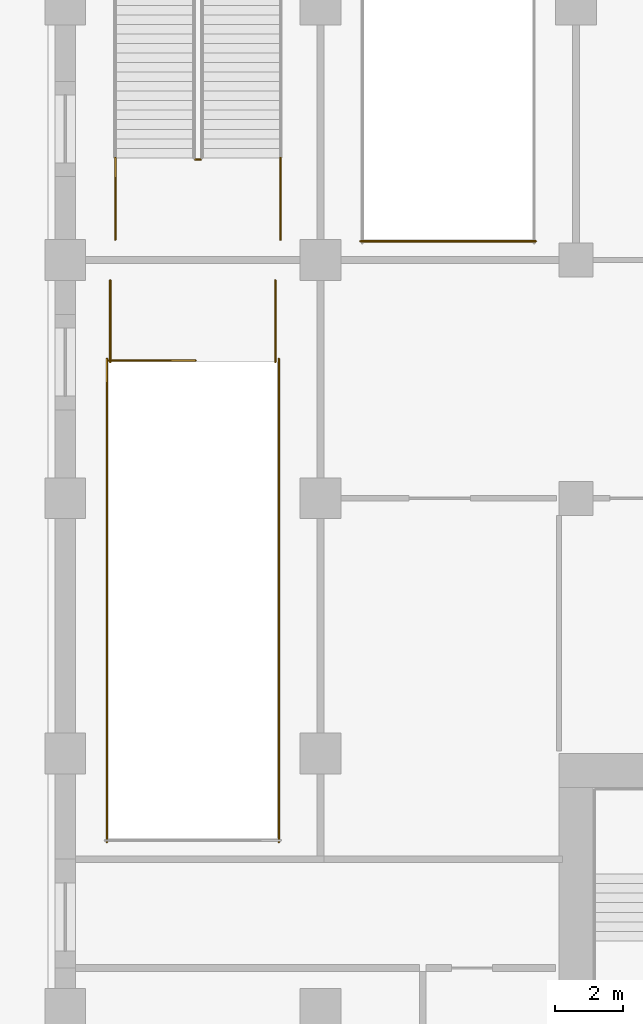
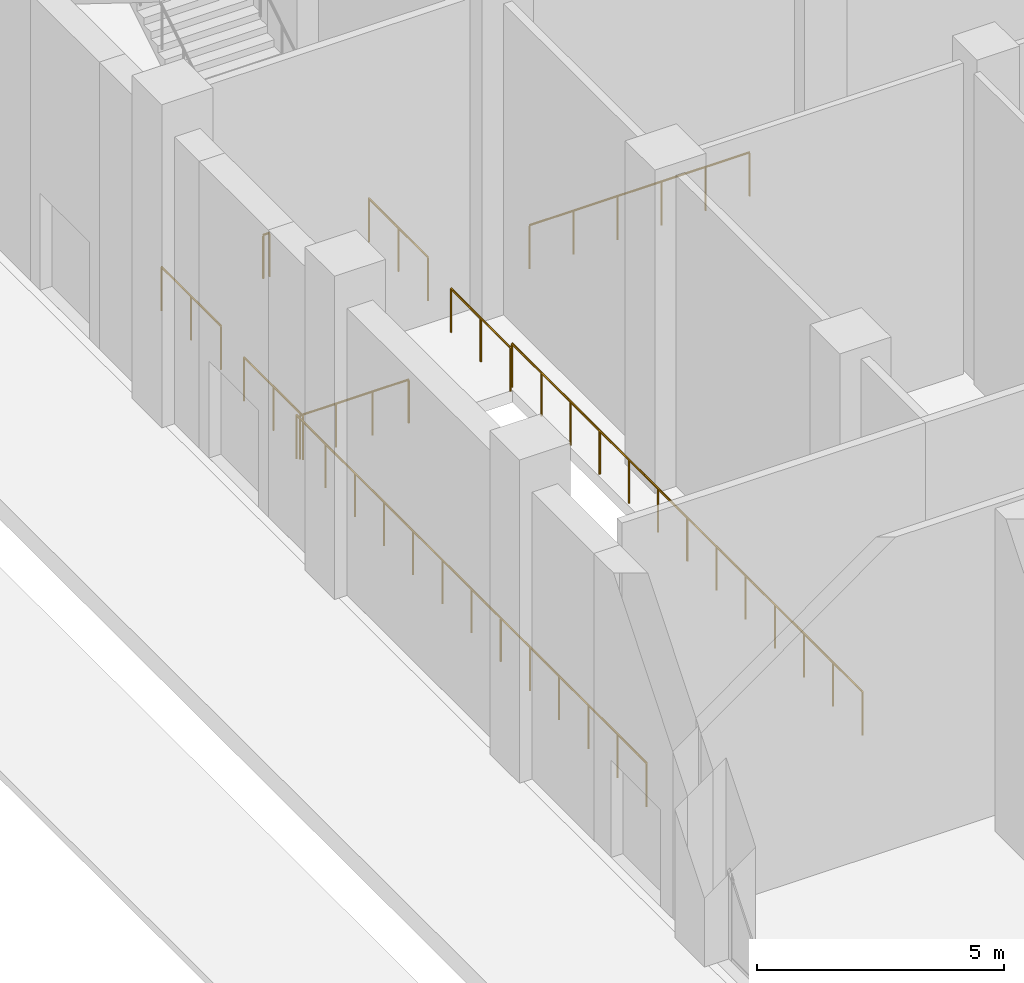
# One storey, part 45 of 57: 9 railings.
"""IFC4 building model written with IfcOpenShell, lengths in metres."""

from ifc_helpers import new_model, si_unit, direction, frame, origin, origin_2d, place, context, subcontext, project, spatial, circle, extrude, material, type_object, element, save


model = new_model("IFC4")

# Units and contexts
model_context = context("Model", 3, precision=1e-05, world=origin(), true_north=direction((0.0, 1.0)))
body_context = subcontext(model_context, "Body", "Model", "MODEL_VIEW")
ifc_project = project(units=[si_unit("LENGTHUNIT", "METRE"), si_unit("AREAUNIT", "SQUARE_METRE"), si_unit("VOLUMEUNIT", "CUBIC_METRE"), si_unit("PLANEANGLEUNIT", "RADIAN"), si_unit("MASSUNIT", "GRAM", prefix="KILO")], contexts=[model_context])

# Site, building, storey
site_placement = place(None, origin())
site = spatial("IfcSite", under=ifc_project, at=site_placement, CompositionType="ELEMENT")
building_placement = place(site_placement, origin())
building = spatial("IfcBuilding", under=site, at=building_placement, Name="Tamorin Gate", CompositionType="ELEMENT")
storey_placement = place(building_placement, origin())
storey = spatial("IfcBuildingStorey", under=building, at=storey_placement, Name="L00", CompositionType="ELEMENT", Elevation=0.0)

# Railings
ifc_material = material(Name="Steel", Category="steel")
railing_type = type_object("IfcRailingType", Name="Podium guard 1100", PredefinedType="GUARDRAIL", material=ifc_material)
railing_1_placement = place(storey_placement, frame((19.47509765625, 99.949951171875, 0.0)))
element("IfcRailing", 1, at=railing_1_placement, inside=storey, type_object=railing_type, Name="L00 PS2 stair guard 7", PredefinedType="GUARDRAIL", context=body_context, shape_type="SweptSolid", body=[
    extrude(circle(Radius=0.02392578125, at=origin_2d()), frame((0.0, 0.0, 1.076171875), z_axis=(-1.0, 0.0, 0.0), x_axis=(0.0, -1.0, 0.0)), (0.0, 0.0, 1.0), 0.150146484375),
    extrude(circle(Radius=0.02099609375, at=origin_2d()), origin(), (0.0, 0.0, 1.0), 1.052001953125),
    extrude(circle(Radius=0.02099609375, at=origin_2d()), frame((-0.150146484375, 0.0, 0.0)), (0.0, 0.0, 1.0), 1.052001953125),
])
for number, where, name in (
    (2, (21.824951171875, 97.60009765625, 0.0), "L00 PS2 stair guard 8"),
    (3, (16.97509765625, 97.60009765625, 0.0), "L00 PS2 stair guard 9"),
):
    element("IfcRailing", number, at=place(storey_placement, frame(where)), inside=storey, type_object=railing_type, Name=name, PredefinedType="GUARDRAIL", context=body_context, shape_type="SweptSolid", body=[
        extrude(circle(Radius=0.02392578125, at=origin_2d()), frame((0.0, 0.0, 1.076171875), z_axis=(0.0, 1.0, 0.0), x_axis=(-1.0, 0.0, 0.0)), (0.0, 0.0, 1.0), 2.39990234375),
        extrude(circle(Radius=0.02099609375, at=origin_2d()), origin(), (0.0, 0.0, 1.0), 1.052001953125),
        extrude(circle(Radius=0.02099609375, at=origin_2d()), frame((0.0, 1.199951171875, 0.0)), (0.0, 0.0, 1.0), 1.052001953125),
        extrude(circle(Radius=0.02099609375, at=origin_2d()), frame((0.0, 2.39990234375, 0.0)), (0.0, 0.0, 1.0), 1.052001953125),
    ])
railing_2_placement = place(storey_placement, frame((16.77490234375, 94.050048828125, 0.0)))
element("IfcRailing", 4, at=railing_2_placement, inside=storey, type_object=railing_type, Name="L00 SB1 top well guard 1", PredefinedType="GUARDRAIL", context=body_context, shape_type="SweptSolid", body=[
    extrude(circle(Radius=0.02392578125, at=origin_2d()), frame((0.0, 0.0, 1.076171875), z_axis=(1.0, 0.0, 0.0), x_axis=(0.0, 1.0, 0.0)), (0.0, 0.0, 1.0), 2.550048828125),
    extrude(circle(Radius=0.02099609375, at=origin_2d()), origin(), (0.0, 0.0, 1.0), 1.052001953125),
    extrude(circle(Radius=0.02099609375, at=origin_2d()), frame((0.85009765625, 0.0, 0.0)), (0.0, 0.0, 1.0), 1.052001953125),
    extrude(circle(Radius=0.02099609375, at=origin_2d()), frame((1.699951171875, 0.0, 0.0)), (0.0, 0.0, 1.0), 1.052001953125),
    extrude(circle(Radius=0.02099609375, at=origin_2d()), frame((2.550048828125, 0.0, 0.0)), (0.0, 0.0, 1.0), 1.052001953125),
])
railing_3_placement = place(storey_placement, frame((16.72509765625, 94.10009765625, 0.0)))
element("IfcRailing", 5, at=railing_3_placement, inside=storey, type_object=railing_type, Name="L00 SB1 top well guard 2", PredefinedType="GUARDRAIL", context=body_context, shape_type="SweptSolid", body=[
    extrude(circle(Radius=0.02392578125, at=origin_2d()), frame((0.0, 0.0, 1.076171875), z_axis=(0.0, -1.0, 0.0), x_axis=(1.0, 0.0, 0.0)), (0.0, 0.0, 1.0), 14.2001953125),
    extrude(circle(Radius=0.02099609375, at=origin_2d()), origin(), (0.0, 0.0, 1.0), 1.052001953125),
    extrude(circle(Radius=0.02099609375, at=origin_2d()), frame((0.0, -1.183349609375, 0.0)), (0.0, 0.0, 1.0), 1.052001953125),
    extrude(circle(Radius=0.02099609375, at=origin_2d()), frame((0.0, -2.36669921875, 0.0)), (0.0, 0.0, 1.0), 1.052001953125),
    extrude(circle(Radius=0.02099609375, at=origin_2d()), frame((0.0, -3.550048828125, 0.0)), (0.0, 0.0, 1.0), 1.052001953125),
    extrude(circle(Radius=0.02099609375, at=origin_2d()), frame((0.0, -4.7333984375, 0.0)), (0.0, 0.0, 1.0), 1.052001953125),
    extrude(circle(Radius=0.02099609375, at=origin_2d()), frame((0.0, -5.916748046875, 0.0)), (0.0, 0.0, 1.0), 1.052001953125),
    extrude(circle(Radius=0.02099609375, at=origin_2d()), frame((0.0, -7.10009765625, 0.0)), (0.0, 0.0, 1.0), 1.052001953125),
    extrude(circle(Radius=0.02099609375, at=origin_2d()), frame((0.0, -8.283447265625, 0.0)), (0.0, 0.0, 1.0), 1.052001953125),
    extrude(circle(Radius=0.02099609375, at=origin_2d()), frame((0.0, -9.466796875, 0.0)), (0.0, 0.0, 1.0), 1.052001953125),
    extrude(circle(Radius=0.02099609375, at=origin_2d()), frame((0.0, -10.650146484375, 0.0)), (0.0, 0.0, 1.0), 1.052001953125),
    extrude(circle(Radius=0.02099609375, at=origin_2d()), frame((0.0, -11.83349609375, 0.0)), (0.0, 0.0, 1.0), 1.052001953125),
    extrude(circle(Radius=0.02099609375, at=origin_2d()), frame((0.0, -13.016845703125, 0.0)), (0.0, 0.0, 1.0), 1.052001953125),
    extrude(circle(Radius=0.02099609375, at=origin_2d()), frame((0.0, -14.2001953125, 0.0)), (0.0, 0.0, 1.0), 1.052001953125),
])
railing_4_placement = place(storey_placement, frame((21.77490234375, 94.10009765625, 0.0)))
element("IfcRailing", 6, at=railing_4_placement, inside=storey, type_object=railing_type, Name="L00 SB1 top well guard 3", PredefinedType="GUARDRAIL", context=body_context, shape_type="SweptSolid", body=[
    extrude(circle(Radius=0.02392578125, at=origin_2d()), frame((0.0, 0.0, 1.076171875), z_axis=(0.0, -1.0, 0.0), x_axis=(1.0, 0.0, 0.0)), (0.0, 0.0, 1.0), 14.2001953125),
    extrude(circle(Radius=0.02099609375, at=origin_2d()), origin(), (0.0, 0.0, 1.0), 1.052001953125),
    extrude(circle(Radius=0.02099609375, at=origin_2d()), frame((0.0, -1.183349609375, 0.0)), (0.0, 0.0, 1.0), 1.052001953125),
    extrude(circle(Radius=0.02099609375, at=origin_2d()), frame((0.0, -2.36669921875, 0.0)), (0.0, 0.0, 1.0), 1.052001953125),
    extrude(circle(Radius=0.02099609375, at=origin_2d()), frame((0.0, -3.550048828125, 0.0)), (0.0, 0.0, 1.0), 1.052001953125),
    extrude(circle(Radius=0.02099609375, at=origin_2d()), frame((0.0, -4.7333984375, 0.0)), (0.0, 0.0, 1.0), 1.052001953125),
    extrude(circle(Radius=0.02099609375, at=origin_2d()), frame((0.0, -5.916748046875, 0.0)), (0.0, 0.0, 1.0), 1.052001953125),
    extrude(circle(Radius=0.02099609375, at=origin_2d()), frame((0.0, -7.10009765625, 0.0)), (0.0, 0.0, 1.0), 1.052001953125),
    extrude(circle(Radius=0.02099609375, at=origin_2d()), frame((0.0, -8.283447265625, 0.0)), (0.0, 0.0, 1.0), 1.052001953125),
    extrude(circle(Radius=0.02099609375, at=origin_2d()), frame((0.0, -9.466796875, 0.0)), (0.0, 0.0, 1.0), 1.052001953125),
    extrude(circle(Radius=0.02099609375, at=origin_2d()), frame((0.0, -10.650146484375, 0.0)), (0.0, 0.0, 1.0), 1.052001953125),
    extrude(circle(Radius=0.02099609375, at=origin_2d()), frame((0.0, -11.83349609375, 0.0)), (0.0, 0.0, 1.0), 1.052001953125),
    extrude(circle(Radius=0.02099609375, at=origin_2d()), frame((0.0, -13.016845703125, 0.0)), (0.0, 0.0, 1.0), 1.052001953125),
    extrude(circle(Radius=0.02099609375, at=origin_2d()), frame((0.0, -14.2001953125, 0.0)), (0.0, 0.0, 1.0), 1.052001953125),
])
for number, where, name in (
    (7, (16.824951171875, 96.39990234375, 0.0), "L00 SB1 top well guard 5"),
    (8, (21.675048828125, 96.39990234375, 0.0), "L00 SB1 top well guard 6"),
):
    element("IfcRailing", number, at=place(storey_placement, frame(where)), inside=storey, type_object=railing_type, Name=name, PredefinedType="GUARDRAIL", context=body_context, shape_type="SweptSolid", body=[
        extrude(circle(Radius=0.02392578125, at=origin_2d()), frame((0.0, 0.0, 1.076171875), z_axis=(0.0, -1.0, 0.0), x_axis=(1.0, 0.0, 0.0)), (0.0, 0.0, 1.0), 2.39990234375),
        extrude(circle(Radius=0.02099609375, at=origin_2d()), origin(), (0.0, 0.0, 1.0), 1.052001953125),
        extrude(circle(Radius=0.02099609375, at=origin_2d()), frame((0.0, -1.199951171875, 0.0)), (0.0, 0.0, 1.0), 1.052001953125),
        extrude(circle(Radius=0.02099609375, at=origin_2d()), frame((0.0, -2.39990234375, 0.0)), (0.0, 0.0, 1.0), 1.052001953125),
    ])
railing_5_placement = place(storey_placement, frame((24.175048828125, 97.550048828125, 0.0)))
element("IfcRailing", 9, at=railing_5_placement, inside=storey, type_object=railing_type, Name="L00 SB2 top well guard 4", PredefinedType="GUARDRAIL", context=body_context, shape_type="SweptSolid", body=[
    extrude(circle(Radius=0.02392578125, at=origin_2d()), frame((0.0, 0.0, 1.076171875), z_axis=(1.0, 0.0, 0.0), x_axis=(0.0, 1.0, 0.0)), (0.0, 0.0, 1.0), 5.14990234375),
    extrude(circle(Radius=0.02099609375, at=origin_2d()), origin(), (0.0, 0.0, 1.0), 1.052001953125),
    extrude(circle(Radius=0.02099609375, at=origin_2d()), frame((1.030029296875, 0.0, 0.0)), (0.0, 0.0, 1.0), 1.052001953125),
    extrude(circle(Radius=0.02099609375, at=origin_2d()), frame((2.06005859375, 0.0, 0.0)), (0.0, 0.0, 1.0), 1.052001953125),
    extrude(circle(Radius=0.02099609375, at=origin_2d()), frame((3.08984375, 0.0, 0.0)), (0.0, 0.0, 1.0), 1.052001953125),
    extrude(circle(Radius=0.02099609375, at=origin_2d()), frame((4.119873046875, 0.0, 0.0)), (0.0, 0.0, 1.0), 1.052001953125),
    extrude(circle(Radius=0.02099609375, at=origin_2d()), frame((5.14990234375, 0.0, 0.0)), (0.0, 0.0, 1.0), 1.052001953125),
])

save(model, "model.ifc")
